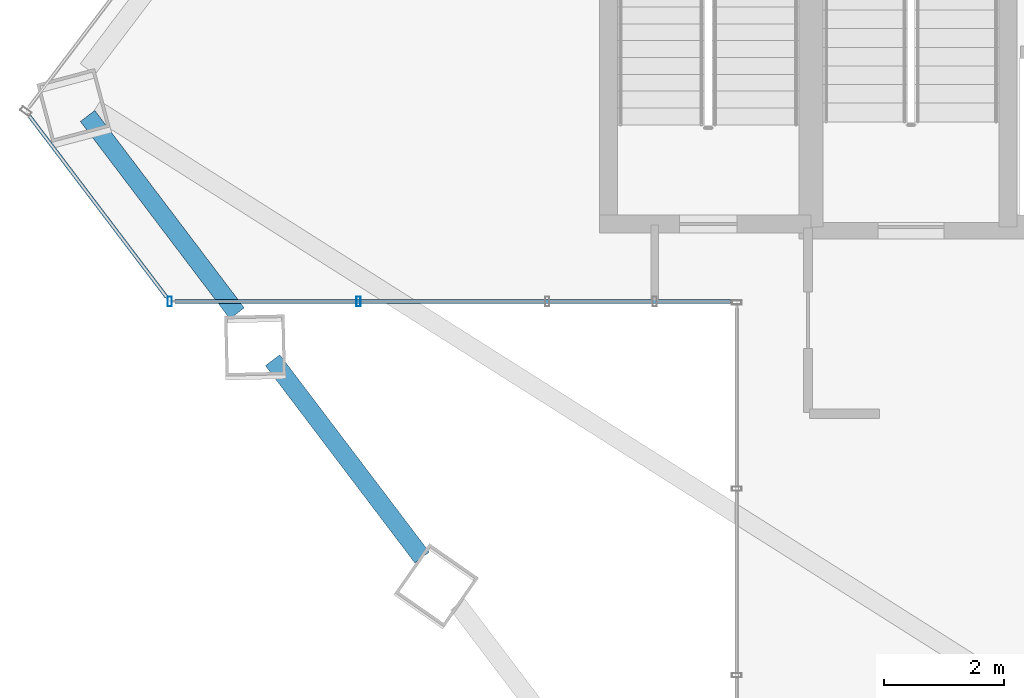
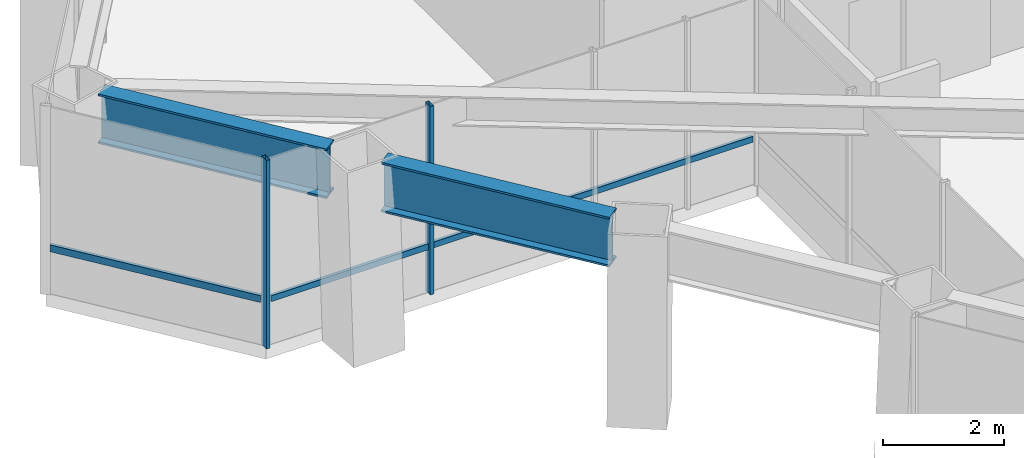
# One storey, part 3 of 24: 4 members, 2 beams, 2 elements without a shape of their own.
"""IFC4 building model written with IfcOpenShell, lengths in metres."""

from ifc_helpers import new_model, si_unit, direction, frame, origin, origin_2d, place, context, subcontext, project, spatial, hollow_rectangle, i_section, extrude, material, layer, layer_set, material_profile, profile_set, type_object, element, aggregate, save


model = new_model("IFC4")

# Units and contexts
model_context = context("Model", 3, precision=1e-05, world=origin(), true_north=direction((0.0, 1.0)))
body_context = subcontext(model_context, "Body", "Model", "MODEL_VIEW")
ifc_project = project(units=[si_unit("LENGTHUNIT", "METRE"), si_unit("AREAUNIT", "SQUARE_METRE"), si_unit("VOLUMEUNIT", "CUBIC_METRE"), si_unit("PLANEANGLEUNIT", "RADIAN"), si_unit("MASSUNIT", "GRAM", prefix="KILO")], contexts=[model_context])

# Site, building, storey
site_placement = place(None, origin())
site = spatial("IfcSite", under=ifc_project, at=site_placement, CompositionType="ELEMENT")
building_placement = place(site_placement, origin())
building = spatial("IfcBuilding", under=site, at=building_placement, Name="Zarrinselat Tower", CompositionType="ELEMENT")
storey_placement = place(building_placement, frame((0.0, 0.0, 68.340087890625)))
storey = spatial("IfcBuildingStorey", under=building, at=storey_placement, Name="L16", CompositionType="ELEMENT", Elevation=68.340087890625)

# Beams
ifc_material_1 = material(Name="Steel S460M", Category="steel")
ifc_material_profile_1 = material_profile(ifc_material_1, i_section(OverallWidth=0.302001953125, OverallDepth=1.008056640625, WebThickness=0.02099609375, FlangeThickness=0.0400390625, at=origin_2d()), Name="HEM 1000")
ifc_profile_set_1 = profile_set([ifc_material_profile_1], Name="Steel S460M")
beam_type = type_object("IfcBeamType", Name="BM-HEM1000", PredefinedType="BEAM", material=ifc_profile_set_1)
beam_1_placement = place(storey_placement, frame((16.57568359375, 35.097900390625, 3.31591796875), z_axis=(0.60385654571, -0.797093013521, 0.0), x_axis=(0.797093013521, 0.60385654571, 0.0)))
element("IfcBeam", 1, at=beam_1_placement, inside=storey, type_object=beam_type, Name="L16 Perimeter Spandrel Girder SP06", PredefinedType="BEAM", context=body_context, shape_type="SweptSolid", body=[
    extrude(i_section(OverallWidth=0.302001953125, OverallDepth=1.008056640625, WebThickness=0.02099609375, FlangeThickness=0.0400390625, at=origin_2d()), origin(), (0.0, 0.0, 1.0), 4.114990234375),
])
beam_2_placement = place(storey_placement, frame((19.64990234375, 31.039794921875, 3.31591796875), z_axis=(0.603885103774, -0.797071377883, 0.0), x_axis=(0.797071377883, 0.603885103774, 0.0)))
element("IfcBeam", 2, at=beam_2_placement, inside=storey, type_object=beam_type, Name="L16 Perimeter Spandrel Girder SP07", PredefinedType="BEAM", context=body_context, shape_type="SweptSolid", body=[
    extrude(i_section(OverallWidth=0.302001953125, OverallDepth=1.008056640625, WebThickness=0.02099609375, FlangeThickness=0.0400390625, at=origin_2d()), origin(), (0.0, 0.0, 1.0), 4.11474609375),
])

# Curtain wall, members
ifc_material_2 = material(Name="Extruded Aluminium Alloy EN AW-6063 T6", Category="aluminium")
ifc_layer_1 = layer(ifc_material_2, 0.18994140625)
ifc_layer_set_1 = layer_set([ifc_layer_1], Name="Extruded Aluminium Alloy EN AW-6063 T6")
curtain_wall_type_1 = type_object("IfcCurtainWallType", Name="CWS-SG", PredefinedType="NOTDEFINED", material=ifc_layer_set_1)
curtain_wall_1_placement = place(storey_placement, origin())
curtain_wall_1 = element("IfcCurtainWall", 3, at=curtain_wall_1_placement, inside=storey, type_object=curtain_wall_type_1, Name="L16 Unitised Curtain Wall CW-L16-E41", PredefinedType="NOTDEFINED")
ifc_material_3 = material(Name="Extruded Aluminium Alloy EN AW-6063 T6", Category="aluminium")
ifc_material_profile_2 = material_profile(ifc_material_3, hollow_rectangle(XDim=0.070068359375, YDim=0.159912109375, WallThickness=0.00390625, at=origin_2d()), Name="RHS 160x70x4")
ifc_profile_set_2 = profile_set([ifc_material_profile_2], Name="Extruded Aluminium Alloy EN AW-6063 T6")
member_type_1 = type_object("IfcMemberType", Name="MEM-CW-MUL2", PredefinedType="MULLION", material=ifc_profile_set_2)
member_1_placement = place(storey_placement, frame((21.077880859375, 32.014892578125, 0.0), z_axis=(0.0, 0.0, 1.0), x_axis=(-1.0, 0.0, 0.0)))
member_1 = element("IfcMember", 4, at=member_1_placement, type_object=member_type_1, Name="CW-L16-E41 Mullion 3", PredefinedType="MULLION", context=body_context, shape_type="SweptSolid", body=[
    extrude(hollow_rectangle(XDim=0.070068359375, YDim=0.159912109375, WallThickness=0.00390625, at=origin_2d()), origin(), (0.0, 0.0, 1.0), 3.81982421875),
])
member_2_placement = place(storey_placement, frame((17.9423828125, 32.014892578125, 0.0), z_axis=(0.0, 0.0, 1.0), x_axis=(-1.0, 0.0, 0.0)))
member_2 = element("IfcMember", 5, at=member_2_placement, type_object=member_type_1, Name="CW-L16-E41 Mullion 4", PredefinedType="MULLION", context=body_context, shape_type="SweptSolid", body=[
    extrude(hollow_rectangle(XDim=0.070068359375, YDim=0.159912109375, WallThickness=0.00390625, at=origin_2d()), origin(), (0.0, 0.0, 1.0), 3.81982421875),
])

# Curtain wall, member
ifc_material_4 = material(Name="Extruded Aluminium Alloy EN AW-6063 T6", Category="aluminium")
ifc_layer_2 = layer(ifc_material_4, 0.18505859375)
ifc_layer_set_2 = layer_set([ifc_layer_2], Name="Extruded Aluminium Alloy EN AW-6063 T6")
curtain_wall_type_2 = type_object("IfcCurtainWallType", Name="CWS-OFF", PredefinedType="NOTDEFINED", material=ifc_layer_set_2)
curtain_wall_2_placement = place(storey_placement, origin())
curtain_wall_2 = element("IfcCurtainWall", 6, at=curtain_wall_2_placement, inside=storey, type_object=curtain_wall_type_2, Name="L16 Unitised Curtain Wall CW-L16-E42", PredefinedType="NOTDEFINED")
ifc_material_5 = material(Name="Extruded Aluminium Alloy EN AW-6063 T6", Category="aluminium")
ifc_material_profile_3 = material_profile(ifc_material_5, hollow_rectangle(XDim=0.06005859375, YDim=0.139892578125, WallThickness=0.00390625, at=origin_2d()), Name="RHS 140x60x4")
ifc_profile_set_3 = profile_set([ifc_material_profile_3], Name="Extruded Aluminium Alloy EN AW-6063 T6")
member_type_2 = type_object("IfcMemberType", Name="MEM-CW-TRN", PredefinedType="USERDEFINED", material=ifc_profile_set_3)
member_3_placement = place(storey_placement, frame((17.88818359375, 32.086669921875, 0.949951171875), z_axis=(-0.603873834076, 0.797079916018, 0.0), x_axis=(-0.797079916018, -0.603873834076, 0.0)))
member_3 = element("IfcMember", 7, at=member_3_placement, type_object=member_type_2, Name="CW-L16-E42 Transom 1", ObjectType="TRANSOM", PredefinedType="USERDEFINED", context=body_context, shape_type="SweptSolid", body=[
    extrude(hollow_rectangle(XDim=0.06005859375, YDim=0.139892578125, WallThickness=0.00390625, at=origin_2d()), origin(), (0.0, 0.0, 1.0), 3.78466796875),
])
aggregate(curtain_wall_2, [member_3])

# Member
ifc_material_6 = material(Name="Extruded Aluminium Alloy EN AW-6063 T6", Category="aluminium")
ifc_material_profile_4 = material_profile(ifc_material_6, hollow_rectangle(XDim=0.06005859375, YDim=0.1201171875, WallThickness=0.00390625, at=origin_2d()), Name="RHS 120x60x4")
ifc_profile_set_4 = profile_set([ifc_material_profile_4], Name="Extruded Aluminium Alloy EN AW-6063 T6")
member_type_3 = type_object("IfcMemberType", Name="MEM-CW-TRN2", PredefinedType="USERDEFINED", material=ifc_profile_set_4)
member_4_placement = place(storey_placement, frame((27.258544921875, 32.014892578125, 0.949951171875), z_axis=(-1.0, 0.0, 0.0), x_axis=(0.0, -1.0, 0.0)))
member_4 = element("IfcMember", 8, at=member_4_placement, type_object=member_type_3, Name="CW-L16-E41 Transom 1", ObjectType="TRANSOM", PredefinedType="USERDEFINED", context=body_context, shape_type="SweptSolid", body=[
    extrude(hollow_rectangle(XDim=0.06005859375, YDim=0.1201171875, WallThickness=0.00390625, at=origin_2d()), origin(), (0.0, 0.0, 1.0), 9.22607421875),
])

aggregate(curtain_wall_1, [member_1, member_2, member_4])

save(model, "model.ifc")
